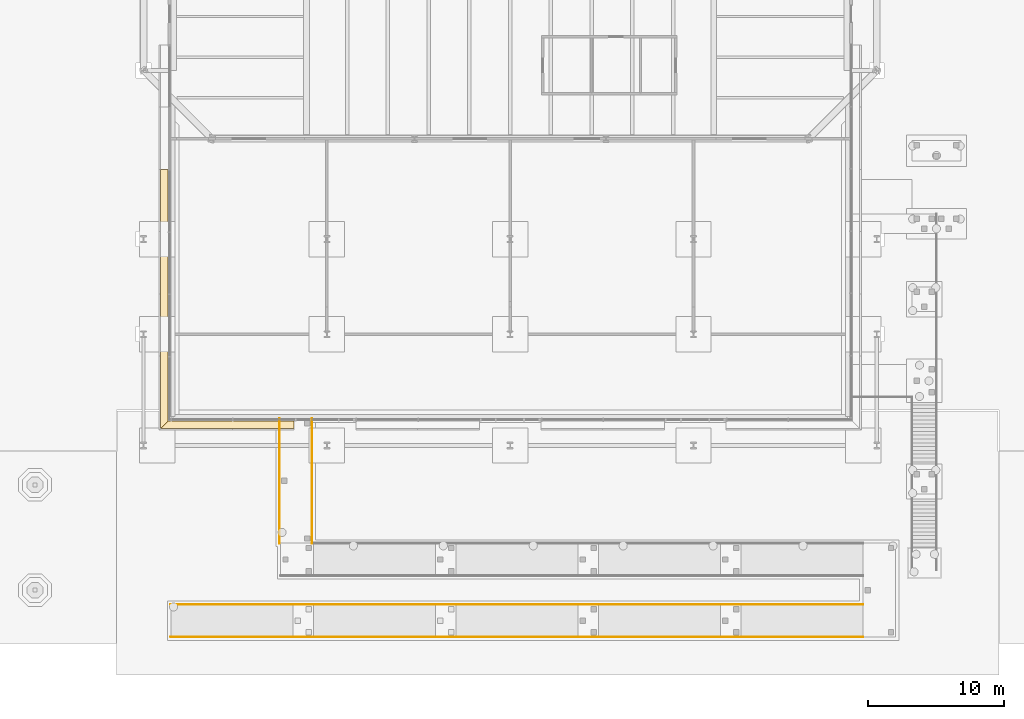
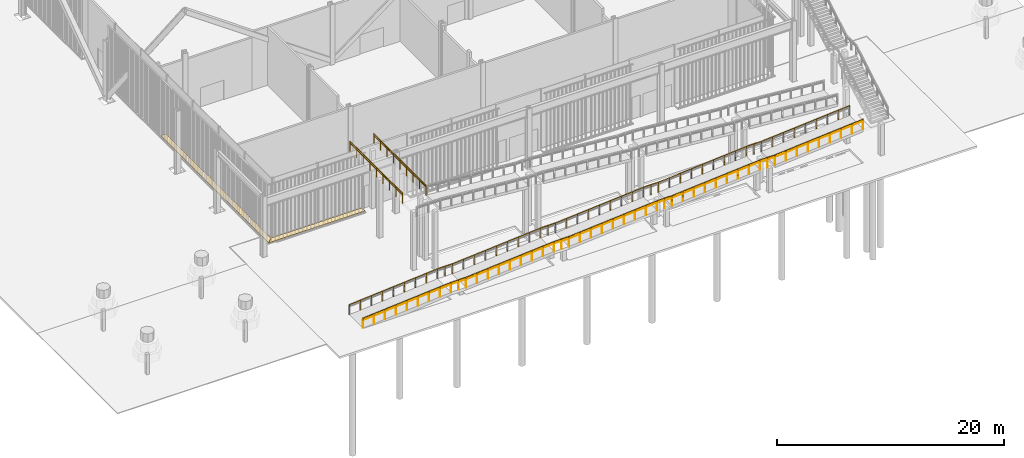
# One storey, part 21 of 28: 7 railings, 2 coverings.
"""IFC4 building model written with IfcOpenShell, lengths in metres."""

import ifcopenshell
import ifcopenshell.guid

model = None  # the IFC model being written
_history = None  # IfcOwnerHistory: only IFC2X3 demands one
_inside = {}  # id of a spatial element -> (the spatial element, [elements in it])
_under = {}  # id of a project, library or spatial element -> (it, [spatial elements below it])
_declared = {}  # id of a project -> (the project, [libraries it declares])
_typed = {}  # id of a type object -> (the type object, [elements of that type])
_made_of = {}  # id of a material, layer set ... -> (it, [elements and type objects made of it])


def new_model(schema):
    """Start an empty IFC model of exactly this schema.

    Asked for "IFC4X3", IfcOpenShell would pick the latest addendum, in which some entities
    have other attributes; the version numbers below select the first issue.
    IFC2X3 requires an IfcOwnerHistory on every rooted entity: one is made here for all.
    """
    global model, _history
    if schema == "IFC4X3":
        model = ifcopenshell.file(schema_version=(4, 3, 0, 0))
    else:
        model = ifcopenshell.file(schema=schema)
    _inside.clear()
    _under.clear()
    _declared.clear()
    _typed.clear()
    _made_of.clear()
    _history = None
    if model.schema == "IFC2X3":
        org = make("IfcOrganization", Name="unknown")
        user = make(
            "IfcPersonAndOrganization",
            ThePerson=make("IfcPerson", FamilyName="unknown"),
            TheOrganization=org,
        )
        app = make(
            "IfcApplication",
            ApplicationDeveloper=org,
            Version="unknown",
            ApplicationFullName="unknown",
            ApplicationIdentifier="unknown",
        )
        _history = make(
            "IfcOwnerHistory",
            OwningUser=user,
            OwningApplication=app,
            ChangeAction="ADDED",
            CreationDate=0,
        )
    return model


def make(cls, **values):
    """One entity of the class cls with the attributes given. An attribute that is None is left unset."""
    return model.create_entity(
        cls, **{name: value for name, value in values.items() if value is not None}
    )


def rooted(cls, **values):
    """An entity with a GlobalId (a new one), such as an element, a storey or a relation."""
    return make(cls, GlobalId=ifcopenshell.guid.new(), OwnerHistory=_history, **values)


def si_unit(unit_type, name, prefix=None):
    """IfcSIUnit, for example si_unit("LENGTHUNIT", "METRE", prefix="MILLI")."""
    return make("IfcSIUnit", UnitType=unit_type, Prefix=prefix, Name=name)


def assignment(units):
    """IfcUnitAssignment: the units of a project."""
    return None if units is None else make("IfcUnitAssignment", Units=units)


def point(xyz):
    """IfcCartesianPoint."""
    return None if xyz is None else make("IfcCartesianPoint", Coordinates=xyz)


def direction(xyz):
    """IfcDirection."""
    return None if xyz is None else make("IfcDirection", DirectionRatios=xyz)


def frame(location, z_axis=None, x_axis=None):
    """IfcAxis2Placement3D, a coordinate frame: its origin and axes. An axis left out is left unset."""
    return make(
        "IfcAxis2Placement3D",
        Location=point(location),
        Axis=direction(z_axis),
        RefDirection=direction(x_axis),
    )


def frame_2d(location, x_axis=None):
    """IfcAxis2Placement2D, a coordinate frame in the plane: its origin and x axis."""
    return make(
        "IfcAxis2Placement2D", Location=point(location), RefDirection=direction(x_axis)
    )


def origin():
    """The frame at (0, 0, 0) with its axes left unset."""
    return frame((0.0, 0.0, 0.0))


def origin_2d():
    """The frame at (0, 0) in the plane with its x axis left unset."""
    return frame_2d((0.0, 0.0))


def place(relative_to, where):
    """IfcLocalPlacement: puts the frame where relative to a parent placement (None: the world)."""
    return make(
        "IfcLocalPlacement", PlacementRelTo=relative_to, RelativePlacement=where
    )


def context(
    kind, dimensions, precision=None, world=None, true_north=None, identifier=None
):
    """IfcGeometricRepresentationContext, for example the 3D "Model" context."""
    return make(
        "IfcGeometricRepresentationContext",
        ContextIdentifier=identifier,
        ContextType=kind,
        CoordinateSpaceDimension=dimensions,
        Precision=precision,
        WorldCoordinateSystem=world,
        TrueNorth=true_north,
    )


def subcontext(parent, identifier, kind, view, scale=None):
    """IfcGeometricRepresentationSubContext, for example "Body" below "Model"."""
    return make(
        "IfcGeometricRepresentationSubContext",
        ContextIdentifier=identifier,
        ContextType=kind,
        ParentContext=parent,
        TargetScale=scale,
        TargetView=view,
    )


def project(units=None, contexts=None):
    """IfcProject with its units and contexts."""
    return rooted(
        "IfcProject",
        Name="project",
        RepresentationContexts=contexts,
        UnitsInContext=assignment(units),
    )


def spatial(cls, under=None, at=None, **own):
    """A site, building, storey or space (cls), placed at a placement, below another one or the project."""
    s = rooted(cls, ObjectPlacement=at, **own)
    if under is not None:
        _under.setdefault(under.id(), (under, []))[1].append(s)
    return s


def polyline(points):
    """IfcPolyline through the points."""
    return make("IfcPolyline", Points=[point(p) for p in points])


def profile(cls, at=None, kind="AREA", **sizes):
    """A parametric profile (cls). Its sizes go by their IFC names, for example OverallWidth=200.0."""
    return make(cls, ProfileType=kind, Position=at, **sizes)


def circle(**sizes):
    """IfcCircleProfileDef."""
    return profile("IfcCircleProfileDef", **sizes)


def outline(outer, holes=None, kind="AREA"):
    """IfcArbitraryClosedProfileDef: a profile drawn as a closed curve; with holes, ...WithVoids."""
    if holes is None:
        return make("IfcArbitraryClosedProfileDef", ProfileType=kind, OuterCurve=outer)
    return make(
        "IfcArbitraryProfileDefWithVoids",
        ProfileType=kind,
        OuterCurve=outer,
        InnerCurves=holes,
    )


def extrude(swept, where, along, depth):
    """IfcExtrudedAreaSolid: the profile swept, set in the frame where, extruded along a direction by depth."""
    return make(
        "IfcExtrudedAreaSolid",
        SweptArea=swept,
        Position=where,
        ExtrudedDirection=direction(along),
        Depth=depth,
    )


def shape(context_of_items, identifier, shape_type, items):
    """IfcShapeRepresentation: the items that make up one representation, for example the "Body"."""
    return make(
        "IfcShapeRepresentation",
        ContextOfItems=context_of_items,
        RepresentationIdentifier=identifier,
        RepresentationType=shape_type,
        Items=items,
    )


def material(Name=None, Category=None):
    """IfcMaterial."""
    return make("IfcMaterial", Name=Name, Category=Category)


def layer(
    of_material, thickness, ventilated=None, Name=None, Category=None, Priority=None
):
    """IfcMaterialLayer: one layer of a wall or slab, of a material (None: an air gap)."""
    return make(
        "IfcMaterialLayer",
        Material=of_material,
        LayerThickness=thickness,
        IsVentilated=ventilated,
        Name=Name,
        Category=Category,
        Priority=Priority,
    )


def layer_set(layers, Name=None):
    """IfcMaterialLayerSet."""
    return make("IfcMaterialLayerSet", MaterialLayers=layers, LayerSetName=Name)


def made_of(thing, what):
    """Note that an element or type object is made of a material, layer set ...; save() writes the relation."""
    if what is not None:
        _made_of.setdefault(what.id(), (what, []))[1].append(thing)
    return thing


def type_object(cls, material=None, **own):
    """A type object (cls), such as IfcWallType, which elements share."""
    return made_of(rooted(cls, **own), material)


def element(
    cls,
    number,
    at=None,
    inside=None,
    cuts=None,
    type_object=None,
    material=None,
    context=None,
    identifier="Body",
    shape_type=None,
    held_by="IfcProductDefinitionShape",
    body=None,
    shapes=None,
    **own,
):
    """One element of the class cls, such as IfcWall. Its Tag is "e" and its number.

    at: its placement. inside: the storey or other place that contains it. cuts: it is an
    opening in that element (IfcRelVoidsElement). A single representation is given by context,
    identifier, shape_type and body (its items); several are given by shapes. held_by: the class
    of the entity that holds the representations. save() writes the other relations.
    """
    e = rooted(cls, Tag="e%d" % number, ObjectPlacement=at, **own)
    if body is not None:
        shapes = [shape(context, identifier, shape_type, body)]
    if shapes is not None:
        e.Representation = make(held_by, Representations=shapes)
    if inside is not None:
        _inside.setdefault(inside.id(), (inside, []))[1].append(e)
    if cuts is not None:
        rooted(
            "IfcRelVoidsElement", RelatingBuildingElement=cuts, RelatedOpeningElement=e
        )
    if type_object is not None:
        _typed.setdefault(type_object.id(), (type_object, []))[1].append(e)
    return made_of(e, material)


def aggregate(whole, parts):
    """IfcRelAggregates: a whole, such as a stair, and the parts it consists of."""
    return rooted("IfcRelAggregates", RelatingObject=whole, RelatedObjects=parts)


def save(model, path):
    """Write the relations noted so far, then the file.

    IfcRelAggregates (storeys below a building ...), IfcRelContainedInSpatialStructure (elements
    in a storey), IfcRelDefinesByType, IfcRelAssociatesMaterial and IfcRelDeclares: one each for
    every whole, place, type object, material and project.
    """
    for whole, parts in _under.values():
        aggregate(whole, parts)
    for where, things in _inside.values():
        rooted(
            "IfcRelContainedInSpatialStructure",
            RelatedElements=things,
            RelatingStructure=where,
        )
    for kind, things in _typed.values():
        rooted("IfcRelDefinesByType", RelatedObjects=things, RelatingType=kind)
    for what, things in _made_of.values():
        rooted("IfcRelAssociatesMaterial", RelatedObjects=things, RelatingMaterial=what)
    for by, libraries in _declared.values():
        rooted("IfcRelDeclares", RelatingContext=by, RelatedDefinitions=libraries)
    model.write(path)


model = new_model("IFC4")

# Units and contexts
model_context = context("Model", 3, precision=1e-05, world=origin(), true_north=direction((0.0, 1.0)))
body_context = subcontext(model_context, "Body", "Model", "MODEL_VIEW")
ifc_project = project(units=[si_unit("LENGTHUNIT", "METRE"), si_unit("AREAUNIT", "SQUARE_METRE"), si_unit("VOLUMEUNIT", "CUBIC_METRE"), si_unit("PLANEANGLEUNIT", "RADIAN"), si_unit("MASSUNIT", "GRAM", prefix="KILO")], contexts=[model_context])

# Site, building, storey
site_placement = place(None, origin())
site = spatial("IfcSite", under=ifc_project, at=site_placement, CompositionType="ELEMENT")
building_placement = place(site_placement, origin())
building = spatial("IfcBuilding", under=site, at=building_placement, Name="Millrace Tower", CompositionType="ELEMENT")
storey_placement = place(building_placement, origin())
storey = spatial("IfcBuildingStorey", under=building, at=storey_placement, Name="L01", CompositionType="ELEMENT", Elevation=0.0)

# Coverings
ifc_material_1 = material(Name="Steel ASTM A36", Category="steel")
ifc_layer = layer(ifc_material_1, 0.050048828125)
ifc_layer_set = layer_set([ifc_layer], Name="Steel ASTM A36")
covering_type = type_object("IfcCoveringType", Name="CAVITY CATWALK steel grating", PredefinedType="FLOORING", material=ifc_layer_set)
placement_1 = place(storey_placement, frame((0.0, 0.0, 0.10009765625)))
element("IfcCovering", 1, at=placement_1, inside=storey, type_object=covering_type, Name="Cavity catwalk grating AW1-F01 L01 1", PredefinedType="FLOORING", context=body_context, shape_type="SweptSolid", body=[
    extrude(outline(polyline([(-25.75, -48.35009765625), (-15.9091796875, -48.35009765625), (-15.9091796875, -47.800048828125), (-25.199951171875, -47.800048828125), (-25.75, -48.35009765625)])), origin(), (0.0, 0.0, 1.0), 0.0498046875),
])
element("IfcCovering", 2, at=placement_1, inside=storey, type_object=covering_type, Name="Cavity catwalk grating AW1-F06 L01 6", PredefinedType="FLOORING", context=body_context, shape_type="SweptSolid", body=[
    extrude(outline(polyline([(-25.75, -29.2666015625), (-25.75, -48.35009765625), (-25.199951171875, -47.800048828125), (-25.199951171875, -29.2666015625), (-25.75, -29.2666015625)])), origin(), (0.0, 0.0, 1.0), 0.0498046875),
])

# Railings
ifc_material_2 = material(Name="Stainless steel ASTM A240 type 316", Category="steel")
railing_type_1 = type_object("IfcRailingType", Name="Ramp guard 1100", PredefinedType="GUARDRAIL", material=ifc_material_2)
placement_2 = place(storey_placement, frame((-25.0, -63.699951171875, 0.0)))
element("IfcRailing", 3, at=placement_2, inside=storey, type_object=railing_type_1, Name="Ramp guard row A S", PredefinedType="GUARDRAIL", context=body_context, shape_type="SweptSolid", body=[
    extrude(circle(Radius=0.02392578125, at=origin_2d()), frame((0.0, 0.0, 1.076171875), z_axis=(0.996796163047, 0.0, 0.079983806703), x_axis=(0.0, 1.0, 0.0)), (0.0, 0.0, 1.0), 9.02880859375),
    extrude(circle(Radius=0.02392578125, at=origin_2d()), frame((9.0, 0.0, 1.79833984375), z_axis=(1.0, 0.0, 0.0), x_axis=(0.0, 1.0, 0.0)), (0.0, 0.0, 1.0), 1.5),
    extrude(circle(Radius=0.02392578125, at=origin_2d()), frame((10.5, 0.0, 1.79833984375), z_axis=(0.996796163047, 0.0, 0.079983806703), x_axis=(0.0, 1.0, 0.0)), (0.0, 0.0, 1.0), 9.02880859375),
    extrude(circle(Radius=0.02392578125, at=origin_2d()), frame((19.5, 0.0, 2.5205078125), z_axis=(1.0, 0.0, 0.0), x_axis=(0.0, 1.0, 0.0)), (0.0, 0.0, 1.0), 1.5),
    extrude(circle(Radius=0.02392578125, at=origin_2d()), frame((21.0, 0.0, 2.5205078125), z_axis=(0.99679400687, 0.0, 0.080010673457), x_axis=(0.0, 1.0, 0.0)), (0.0, 0.0, 1.0), 9.029052734375),
    extrude(circle(Radius=0.02392578125, at=origin_2d()), frame((30.0, 0.0, 3.24267578125), z_axis=(1.0, 0.0, 0.0), x_axis=(0.0, 1.0, 0.0)), (0.0, 0.0, 1.0), 1.5),
    extrude(circle(Radius=0.02392578125, at=origin_2d()), frame((31.5, 0.0, 3.24267578125), z_axis=(0.996796163047, 0.0, 0.079983806703), x_axis=(0.0, 1.0, 0.0)), (0.0, 0.0, 1.0), 9.02880859375),
    extrude(circle(Radius=0.02392578125, at=origin_2d()), frame((40.5, 0.0, 3.96484375), z_axis=(1.0, 0.0, 0.0), x_axis=(0.0, 1.0, 0.0)), (0.0, 0.0, 1.0), 1.5),
    extrude(circle(Radius=0.02392578125, at=origin_2d()), frame((42.0, 0.0, 3.96484375), z_axis=(0.996796163047, 0.0, 0.079983806703), x_axis=(0.0, 1.0, 0.0)), (0.0, 0.0, 1.0), 9.02880859375),
    extrude(circle(Radius=0.02099609375, at=origin_2d()), origin(), (0.0, 0.0, 1.0), 1.052001953125),
    extrude(circle(Radius=0.02099609375, at=origin_2d()), frame((1.125, 0.0, 0.09033203125)), (0.0, 0.0, 1.0), 1.052001953125),
    extrude(circle(Radius=0.02099609375, at=origin_2d()), frame((2.25, 0.0, 0.1806640625)), (0.0, 0.0, 1.0), 1.052001953125),
    extrude(circle(Radius=0.02099609375, at=origin_2d()), frame((3.375, 0.0, 0.270751953125)), (0.0, 0.0, 1.0), 1.052001953125),
    extrude(circle(Radius=0.02099609375, at=origin_2d()), frame((4.5, 0.0, 0.361083984375)), (0.0, 0.0, 1.0), 1.052001953125),
    extrude(circle(Radius=0.02099609375, at=origin_2d()), frame((5.625, 0.0, 0.451416015625)), (0.0, 0.0, 1.0), 1.052001953125),
    extrude(circle(Radius=0.02099609375, at=origin_2d()), frame((6.75, 0.0, 0.54150390625)), (0.0, 0.0, 1.0), 1.052001953125),
    extrude(circle(Radius=0.02099609375, at=origin_2d()), frame((7.875, 0.0, 0.6318359375)), (0.0, 0.0, 1.0), 1.052001953125),
    extrude(circle(Radius=0.02099609375, at=origin_2d()), frame((9.0, 0.0, 0.72216796875)), (0.0, 0.0, 1.0), 1.052001953125),
    extrude(circle(Radius=0.02099609375, at=origin_2d()), frame((9.75, 0.0, 0.72216796875)), (0.0, 0.0, 1.0), 1.052001953125),
    extrude(circle(Radius=0.02099609375, at=origin_2d()), frame((10.5, 0.0, 0.72216796875)), (0.0, 0.0, 1.0), 1.052001953125),
    extrude(circle(Radius=0.02099609375, at=origin_2d()), frame((11.625, 0.0, 0.8125)), (0.0, 0.0, 1.0), 1.052001953125),
    extrude(circle(Radius=0.02099609375, at=origin_2d()), frame((12.75, 0.0, 0.90283203125)), (0.0, 0.0, 1.0), 1.052001953125),
    extrude(circle(Radius=0.02099609375, at=origin_2d()), frame((13.875, 0.0, 0.992919921875)), (0.0, 0.0, 1.0), 1.052001953125),
    extrude(circle(Radius=0.02099609375, at=origin_2d()), frame((15.0, 0.0, 1.083251953125)), (0.0, 0.0, 1.0), 1.052001953125),
    extrude(circle(Radius=0.02099609375, at=origin_2d()), frame((16.125, 0.0, 1.173583984375)), (0.0, 0.0, 1.0), 1.052001953125),
    extrude(circle(Radius=0.02099609375, at=origin_2d()), frame((17.25, 0.0, 1.263671875)), (0.0, 0.0, 1.0), 1.052001953125),
    extrude(circle(Radius=0.02099609375, at=origin_2d()), frame((18.375, 0.0, 1.35400390625)), (0.0, 0.0, 1.0), 1.052001953125),
    extrude(circle(Radius=0.02099609375, at=origin_2d()), frame((19.5, 0.0, 1.4443359375)), (0.0, 0.0, 1.0), 1.052001953125),
    extrude(circle(Radius=0.02099609375, at=origin_2d()), frame((20.25, 0.0, 1.4443359375)), (0.0, 0.0, 1.0), 1.052001953125),
    extrude(circle(Radius=0.02099609375, at=origin_2d()), frame((21.0, 0.0, 1.4443359375)), (0.0, 0.0, 1.0), 1.052001953125),
    extrude(circle(Radius=0.02099609375, at=origin_2d()), frame((22.125, 0.0, 1.53466796875)), (0.0, 0.0, 1.0), 1.052001953125),
    extrude(circle(Radius=0.02099609375, at=origin_2d()), frame((23.25, 0.0, 1.625)), (0.0, 0.0, 1.0), 1.052001953125),
    extrude(circle(Radius=0.02099609375, at=origin_2d()), frame((24.375, 0.0, 1.71533203125)), (0.0, 0.0, 1.0), 1.052001953125),
    extrude(circle(Radius=0.02099609375, at=origin_2d()), frame((25.5, 0.0, 1.8056640625)), (0.0, 0.0, 1.0), 1.052001953125),
    extrude(circle(Radius=0.02099609375, at=origin_2d()), frame((26.625, 0.0, 1.895751953125)), (0.0, 0.0, 1.0), 1.052001953125),
    extrude(circle(Radius=0.02099609375, at=origin_2d()), frame((27.75, 0.0, 1.986083984375)), (0.0, 0.0, 1.0), 1.052001953125),
    extrude(circle(Radius=0.02099609375, at=origin_2d()), frame((28.875, 0.0, 2.076416015625)), (0.0, 0.0, 1.0), 1.052001953125),
    extrude(circle(Radius=0.02099609375, at=origin_2d()), frame((30.0, 0.0, 2.166748046875)), (0.0, 0.0, 1.0), 1.052001953125),
    extrude(circle(Radius=0.02099609375, at=origin_2d()), frame((30.75, 0.0, 2.166748046875)), (0.0, 0.0, 1.0), 1.052001953125),
    extrude(circle(Radius=0.02099609375, at=origin_2d()), frame((31.5, 0.0, 2.166748046875)), (0.0, 0.0, 1.0), 1.052001953125),
    extrude(circle(Radius=0.02099609375, at=origin_2d()), frame((32.625, 0.0, 2.257080078125)), (0.0, 0.0, 1.0), 1.052001953125),
    extrude(circle(Radius=0.02099609375, at=origin_2d()), frame((33.75, 0.0, 2.34716796875)), (0.0, 0.0, 1.0), 1.052001953125),
    extrude(circle(Radius=0.02099609375, at=origin_2d()), frame((34.875, 0.0, 2.4375)), (0.0, 0.0, 1.0), 1.052001953125),
    extrude(circle(Radius=0.02099609375, at=origin_2d()), frame((36.0, 0.0, 2.52783203125)), (0.0, 0.0, 1.0), 1.052001953125),
    extrude(circle(Radius=0.02099609375, at=origin_2d()), frame((37.125, 0.0, 2.6181640625)), (0.0, 0.0, 1.0), 1.052001953125),
    extrude(circle(Radius=0.02099609375, at=origin_2d()), frame((38.25, 0.0, 2.70849609375)), (0.0, 0.0, 1.0), 1.052001953125),
    extrude(circle(Radius=0.02099609375, at=origin_2d()), frame((39.375, 0.0, 2.798583984375)), (0.0, 0.0, 1.0), 1.052001953125),
    extrude(circle(Radius=0.02099609375, at=origin_2d()), frame((40.5, 0.0, 2.888916015625)), (0.0, 0.0, 1.0), 1.052001953125),
    extrude(circle(Radius=0.02099609375, at=origin_2d()), frame((41.25, 0.0, 2.888916015625)), (0.0, 0.0, 1.0), 1.052001953125),
    extrude(circle(Radius=0.02099609375, at=origin_2d()), frame((42.0, 0.0, 2.888916015625)), (0.0, 0.0, 1.0), 1.052001953125),
    extrude(circle(Radius=0.02099609375, at=origin_2d()), frame((43.125, 0.0, 2.979248046875)), (0.0, 0.0, 1.0), 1.052001953125),
    extrude(circle(Radius=0.02099609375, at=origin_2d()), frame((44.25, 0.0, 3.0693359375)), (0.0, 0.0, 1.0), 1.052001953125),
    extrude(circle(Radius=0.02099609375, at=origin_2d()), frame((45.375, 0.0, 3.15966796875)), (0.0, 0.0, 1.0), 1.052001953125),
    extrude(circle(Radius=0.02099609375, at=origin_2d()), frame((46.5, 0.0, 3.25)), (0.0, 0.0, 1.0), 1.052001953125),
    extrude(circle(Radius=0.02099609375, at=origin_2d()), frame((47.625, 0.0, 3.34033203125)), (0.0, 0.0, 1.0), 1.052001953125),
    extrude(circle(Radius=0.02099609375, at=origin_2d()), frame((48.75, 0.0, 3.4306640625)), (0.0, 0.0, 1.0), 1.052001953125),
    extrude(circle(Radius=0.02099609375, at=origin_2d()), frame((49.875, 0.0, 3.520751953125)), (0.0, 0.0, 1.0), 1.052001953125),
    extrude(circle(Radius=0.02099609375, at=origin_2d()), frame((51.0, 0.0, 3.611083984375)), (0.0, 0.0, 1.0), 1.052001953125),
])
railing_2_placement = place(storey_placement, frame((-25.0, -61.300048828125, 0.0)))
element("IfcRailing", 4, at=railing_2_placement, inside=storey, type_object=railing_type_1, Name="Ramp guard row A N", PredefinedType="GUARDRAIL", context=body_context, shape_type="SweptSolid", body=[
    extrude(circle(Radius=0.02392578125, at=origin_2d()), frame((0.0, 0.0, 1.076171875), z_axis=(0.996796163047, 0.0, 0.079983806703), x_axis=(0.0, 1.0, 0.0)), (0.0, 0.0, 1.0), 9.02880859375),
    extrude(circle(Radius=0.02392578125, at=origin_2d()), frame((9.0, 0.0, 1.79833984375), z_axis=(1.0, 0.0, 0.0), x_axis=(0.0, 1.0, 0.0)), (0.0, 0.0, 1.0), 1.5),
    extrude(circle(Radius=0.02392578125, at=origin_2d()), frame((10.5, 0.0, 1.79833984375), z_axis=(0.996796163047, 0.0, 0.079983806703), x_axis=(0.0, 1.0, 0.0)), (0.0, 0.0, 1.0), 9.02880859375),
    extrude(circle(Radius=0.02392578125, at=origin_2d()), frame((19.5, 0.0, 2.5205078125), z_axis=(1.0, 0.0, 0.0), x_axis=(0.0, 1.0, 0.0)), (0.0, 0.0, 1.0), 1.5),
    extrude(circle(Radius=0.02392578125, at=origin_2d()), frame((21.0, 0.0, 2.5205078125), z_axis=(0.99679400687, 0.0, 0.080010673457), x_axis=(0.0, 1.0, 0.0)), (0.0, 0.0, 1.0), 9.029052734375),
    extrude(circle(Radius=0.02392578125, at=origin_2d()), frame((30.0, 0.0, 3.24267578125), z_axis=(1.0, 0.0, 0.0), x_axis=(0.0, 1.0, 0.0)), (0.0, 0.0, 1.0), 1.5),
    extrude(circle(Radius=0.02392578125, at=origin_2d()), frame((31.5, 0.0, 3.24267578125), z_axis=(0.996796163047, 0.0, 0.079983806703), x_axis=(0.0, 1.0, 0.0)), (0.0, 0.0, 1.0), 9.02880859375),
    extrude(circle(Radius=0.02392578125, at=origin_2d()), frame((40.5, 0.0, 3.96484375), z_axis=(1.0, 0.0, 0.0), x_axis=(0.0, 1.0, 0.0)), (0.0, 0.0, 1.0), 1.5),
    extrude(circle(Radius=0.02392578125, at=origin_2d()), frame((42.0, 0.0, 3.96484375), z_axis=(0.996796163047, 0.0, 0.079983806703), x_axis=(0.0, 1.0, 0.0)), (0.0, 0.0, 1.0), 9.02880859375),
    extrude(circle(Radius=0.02099609375, at=origin_2d()), origin(), (0.0, 0.0, 1.0), 1.052001953125),
    extrude(circle(Radius=0.02099609375, at=origin_2d()), frame((1.125, 0.0, 0.09033203125)), (0.0, 0.0, 1.0), 1.052001953125),
    extrude(circle(Radius=0.02099609375, at=origin_2d()), frame((2.25, 0.0, 0.1806640625)), (0.0, 0.0, 1.0), 1.052001953125),
    extrude(circle(Radius=0.02099609375, at=origin_2d()), frame((3.375, 0.0, 0.270751953125)), (0.0, 0.0, 1.0), 1.052001953125),
    extrude(circle(Radius=0.02099609375, at=origin_2d()), frame((4.5, 0.0, 0.361083984375)), (0.0, 0.0, 1.0), 1.052001953125),
    extrude(circle(Radius=0.02099609375, at=origin_2d()), frame((5.625, 0.0, 0.451416015625)), (0.0, 0.0, 1.0), 1.052001953125),
    extrude(circle(Radius=0.02099609375, at=origin_2d()), frame((6.75, 0.0, 0.54150390625)), (0.0, 0.0, 1.0), 1.052001953125),
    extrude(circle(Radius=0.02099609375, at=origin_2d()), frame((7.875, 0.0, 0.6318359375)), (0.0, 0.0, 1.0), 1.052001953125),
    extrude(circle(Radius=0.02099609375, at=origin_2d()), frame((9.0, 0.0, 0.72216796875)), (0.0, 0.0, 1.0), 1.052001953125),
    extrude(circle(Radius=0.02099609375, at=origin_2d()), frame((9.75, 0.0, 0.72216796875)), (0.0, 0.0, 1.0), 1.052001953125),
    extrude(circle(Radius=0.02099609375, at=origin_2d()), frame((10.5, 0.0, 0.72216796875)), (0.0, 0.0, 1.0), 1.052001953125),
    extrude(circle(Radius=0.02099609375, at=origin_2d()), frame((11.625, 0.0, 0.8125)), (0.0, 0.0, 1.0), 1.052001953125),
    extrude(circle(Radius=0.02099609375, at=origin_2d()), frame((12.75, 0.0, 0.90283203125)), (0.0, 0.0, 1.0), 1.052001953125),
    extrude(circle(Radius=0.02099609375, at=origin_2d()), frame((13.875, 0.0, 0.992919921875)), (0.0, 0.0, 1.0), 1.052001953125),
    extrude(circle(Radius=0.02099609375, at=origin_2d()), frame((15.0, 0.0, 1.083251953125)), (0.0, 0.0, 1.0), 1.052001953125),
    extrude(circle(Radius=0.02099609375, at=origin_2d()), frame((16.125, 0.0, 1.173583984375)), (0.0, 0.0, 1.0), 1.052001953125),
    extrude(circle(Radius=0.02099609375, at=origin_2d()), frame((17.25, 0.0, 1.263671875)), (0.0, 0.0, 1.0), 1.052001953125),
    extrude(circle(Radius=0.02099609375, at=origin_2d()), frame((18.375, 0.0, 1.35400390625)), (0.0, 0.0, 1.0), 1.052001953125),
    extrude(circle(Radius=0.02099609375, at=origin_2d()), frame((19.5, 0.0, 1.4443359375)), (0.0, 0.0, 1.0), 1.052001953125),
    extrude(circle(Radius=0.02099609375, at=origin_2d()), frame((20.25, 0.0, 1.4443359375)), (0.0, 0.0, 1.0), 1.052001953125),
    extrude(circle(Radius=0.02099609375, at=origin_2d()), frame((21.0, 0.0, 1.4443359375)), (0.0, 0.0, 1.0), 1.052001953125),
    extrude(circle(Radius=0.02099609375, at=origin_2d()), frame((22.125, 0.0, 1.53466796875)), (0.0, 0.0, 1.0), 1.052001953125),
    extrude(circle(Radius=0.02099609375, at=origin_2d()), frame((23.25, 0.0, 1.625)), (0.0, 0.0, 1.0), 1.052001953125),
    extrude(circle(Radius=0.02099609375, at=origin_2d()), frame((24.375, 0.0, 1.71533203125)), (0.0, 0.0, 1.0), 1.052001953125),
    extrude(circle(Radius=0.02099609375, at=origin_2d()), frame((25.5, 0.0, 1.8056640625)), (0.0, 0.0, 1.0), 1.052001953125),
    extrude(circle(Radius=0.02099609375, at=origin_2d()), frame((26.625, 0.0, 1.895751953125)), (0.0, 0.0, 1.0), 1.052001953125),
    extrude(circle(Radius=0.02099609375, at=origin_2d()), frame((27.75, 0.0, 1.986083984375)), (0.0, 0.0, 1.0), 1.052001953125),
    extrude(circle(Radius=0.02099609375, at=origin_2d()), frame((28.875, 0.0, 2.076416015625)), (0.0, 0.0, 1.0), 1.052001953125),
    extrude(circle(Radius=0.02099609375, at=origin_2d()), frame((30.0, 0.0, 2.166748046875)), (0.0, 0.0, 1.0), 1.052001953125),
    extrude(circle(Radius=0.02099609375, at=origin_2d()), frame((30.75, 0.0, 2.166748046875)), (0.0, 0.0, 1.0), 1.052001953125),
    extrude(circle(Radius=0.02099609375, at=origin_2d()), frame((31.5, 0.0, 2.166748046875)), (0.0, 0.0, 1.0), 1.052001953125),
    extrude(circle(Radius=0.02099609375, at=origin_2d()), frame((32.625, 0.0, 2.257080078125)), (0.0, 0.0, 1.0), 1.052001953125),
    extrude(circle(Radius=0.02099609375, at=origin_2d()), frame((33.75, 0.0, 2.34716796875)), (0.0, 0.0, 1.0), 1.052001953125),
    extrude(circle(Radius=0.02099609375, at=origin_2d()), frame((34.875, 0.0, 2.4375)), (0.0, 0.0, 1.0), 1.052001953125),
    extrude(circle(Radius=0.02099609375, at=origin_2d()), frame((36.0, 0.0, 2.52783203125)), (0.0, 0.0, 1.0), 1.052001953125),
    extrude(circle(Radius=0.02099609375, at=origin_2d()), frame((37.125, 0.0, 2.6181640625)), (0.0, 0.0, 1.0), 1.052001953125),
    extrude(circle(Radius=0.02099609375, at=origin_2d()), frame((38.25, 0.0, 2.70849609375)), (0.0, 0.0, 1.0), 1.052001953125),
    extrude(circle(Radius=0.02099609375, at=origin_2d()), frame((39.375, 0.0, 2.798583984375)), (0.0, 0.0, 1.0), 1.052001953125),
    extrude(circle(Radius=0.02099609375, at=origin_2d()), frame((40.5, 0.0, 2.888916015625)), (0.0, 0.0, 1.0), 1.052001953125),
    extrude(circle(Radius=0.02099609375, at=origin_2d()), frame((41.25, 0.0, 2.888916015625)), (0.0, 0.0, 1.0), 1.052001953125),
    extrude(circle(Radius=0.02099609375, at=origin_2d()), frame((42.0, 0.0, 2.888916015625)), (0.0, 0.0, 1.0), 1.052001953125),
    extrude(circle(Radius=0.02099609375, at=origin_2d()), frame((43.125, 0.0, 2.979248046875)), (0.0, 0.0, 1.0), 1.052001953125),
    extrude(circle(Radius=0.02099609375, at=origin_2d()), frame((44.25, 0.0, 3.0693359375)), (0.0, 0.0, 1.0), 1.052001953125),
    extrude(circle(Radius=0.02099609375, at=origin_2d()), frame((45.375, 0.0, 3.15966796875)), (0.0, 0.0, 1.0), 1.052001953125),
    extrude(circle(Radius=0.02099609375, at=origin_2d()), frame((46.5, 0.0, 3.25)), (0.0, 0.0, 1.0), 1.052001953125),
    extrude(circle(Radius=0.02099609375, at=origin_2d()), frame((47.625, 0.0, 3.34033203125)), (0.0, 0.0, 1.0), 1.052001953125),
    extrude(circle(Radius=0.02099609375, at=origin_2d()), frame((48.75, 0.0, 3.4306640625)), (0.0, 0.0, 1.0), 1.052001953125),
    extrude(circle(Radius=0.02099609375, at=origin_2d()), frame((49.875, 0.0, 3.520751953125)), (0.0, 0.0, 1.0), 1.052001953125),
    extrude(circle(Radius=0.02099609375, at=origin_2d()), frame((51.0, 0.0, 3.611083984375)), (0.0, 0.0, 1.0), 1.052001953125),
])
placement_3 = place(storey_placement, frame((-17.0, -56.800048828125, 6.5)))
element("IfcRailing", 5, at=placement_3, inside=storey, type_object=railing_type_1, Name="Ramp guard causeway W", PredefinedType="GUARDRAIL", context=body_context, shape_type="SweptSolid", body=[
    extrude(circle(Radius=0.02392578125, at=origin_2d()), frame((0.0, 0.0, 1.076171875), z_axis=(0.0, 1.0, 0.0), x_axis=(-1.0, 0.0, 0.0)), (0.0, 0.0, 1.0), 9.199951171875),
    extrude(circle(Radius=0.02099609375, at=origin_2d()), origin(), (0.0, 0.0, 1.0), 1.052001953125),
    extrude(circle(Radius=0.02099609375, at=origin_2d()), frame((0.0, 1.14990234375, 0.0)), (0.0, 0.0, 1.0), 1.052001953125),
    extrude(circle(Radius=0.02099609375, at=origin_2d()), frame((0.0, 2.300048828125, 0.0)), (0.0, 0.0, 1.0), 1.052001953125),
    extrude(circle(Radius=0.02099609375, at=origin_2d()), frame((0.0, 3.449951171875, 0.0)), (0.0, 0.0, 1.0), 1.052001953125),
    extrude(circle(Radius=0.02099609375, at=origin_2d()), frame((0.0, 4.60009765625, 0.0)), (0.0, 0.0, 1.0), 1.052001953125),
    extrude(circle(Radius=0.02099609375, at=origin_2d()), frame((0.0, 5.75, 0.0)), (0.0, 0.0, 1.0), 1.052001953125),
    extrude(circle(Radius=0.02099609375, at=origin_2d()), frame((0.0, 6.89990234375, 0.0)), (0.0, 0.0, 1.0), 1.052001953125),
    extrude(circle(Radius=0.02099609375, at=origin_2d()), frame((0.0, 8.050048828125, 0.0)), (0.0, 0.0, 1.0), 1.052001953125),
    extrude(circle(Radius=0.02099609375, at=origin_2d()), frame((0.0, 9.199951171875, 0.0)), (0.0, 0.0, 1.0), 1.052001953125),
])
placement_4 = place(storey_placement, frame((-14.60009765625, -56.800048828125, 6.5)))
element("IfcRailing", 6, at=placement_4, inside=storey, type_object=railing_type_1, Name="Ramp guard causeway E", PredefinedType="GUARDRAIL", context=body_context, shape_type="SweptSolid", body=[
    extrude(circle(Radius=0.02392578125, at=origin_2d()), frame((0.0, 0.0, 1.076171875), z_axis=(0.0, 1.0, 0.0), x_axis=(-1.0, 0.0, 0.0)), (0.0, 0.0, 1.0), 9.199951171875),
    extrude(circle(Radius=0.02099609375, at=origin_2d()), origin(), (0.0, 0.0, 1.0), 1.052001953125),
    extrude(circle(Radius=0.02099609375, at=origin_2d()), frame((0.0, 1.14990234375, 0.0)), (0.0, 0.0, 1.0), 1.052001953125),
    extrude(circle(Radius=0.02099609375, at=origin_2d()), frame((0.0, 2.300048828125, 0.0)), (0.0, 0.0, 1.0), 1.052001953125),
    extrude(circle(Radius=0.02099609375, at=origin_2d()), frame((0.0, 3.449951171875, 0.0)), (0.0, 0.0, 1.0), 1.052001953125),
    extrude(circle(Radius=0.02099609375, at=origin_2d()), frame((0.0, 4.60009765625, 0.0)), (0.0, 0.0, 1.0), 1.052001953125),
    extrude(circle(Radius=0.02099609375, at=origin_2d()), frame((0.0, 5.75, 0.0)), (0.0, 0.0, 1.0), 1.052001953125),
    extrude(circle(Radius=0.02099609375, at=origin_2d()), frame((0.0, 6.89990234375, 0.0)), (0.0, 0.0, 1.0), 1.052001953125),
    extrude(circle(Radius=0.02099609375, at=origin_2d()), frame((0.0, 8.050048828125, 0.0)), (0.0, 0.0, 1.0), 1.052001953125),
    extrude(circle(Radius=0.02099609375, at=origin_2d()), frame((0.0, 9.199951171875, 0.0)), (0.0, 0.0, 1.0), 1.052001953125),
])
ifc_material_3 = material(Name="Stainless steel ASTM A240 type 316", Category="steel")
railing_type_2 = type_object("IfcRailingType", Name="Ramp handrail 900", PredefinedType="HANDRAIL", material=ifc_material_3)
element("IfcRailing", 7, at=placement_2, inside=storey, type_object=railing_type_2, Name="Ramp handrail row A S", PredefinedType="HANDRAIL", context=body_context, shape_type="SweptSolid", body=[
    extrude(circle(Radius=0.02392578125, at=origin_2d()), frame((0.0, 0.0, 0.8759765625), z_axis=(0.996796163047, 0.0, 0.079983806703), x_axis=(0.0, 1.0, 0.0)), (0.0, 0.0, 1.0), 9.02880859375),
    extrude(circle(Radius=0.02392578125, at=origin_2d()), frame((9.0, 0.0, 1.59814453125), z_axis=(1.0, 0.0, 0.0), x_axis=(0.0, 1.0, 0.0)), (0.0, 0.0, 1.0), 1.5),
    extrude(circle(Radius=0.02392578125, at=origin_2d()), frame((10.5, 0.0, 1.59814453125), z_axis=(0.996796163047, 0.0, 0.079983806703), x_axis=(0.0, 1.0, 0.0)), (0.0, 0.0, 1.0), 9.02880859375),
    extrude(circle(Radius=0.02392578125, at=origin_2d()), frame((19.5, 0.0, 2.3203125), z_axis=(1.0, 0.0, 0.0), x_axis=(0.0, 1.0, 0.0)), (0.0, 0.0, 1.0), 1.5),
    extrude(circle(Radius=0.02392578125, at=origin_2d()), frame((21.0, 0.0, 2.3203125), z_axis=(0.99679400687, 0.0, 0.080010673457), x_axis=(0.0, 1.0, 0.0)), (0.0, 0.0, 1.0), 9.029052734375),
    extrude(circle(Radius=0.02392578125, at=origin_2d()), frame((30.0, 0.0, 3.04248046875), z_axis=(1.0, 0.0, 0.0), x_axis=(0.0, 1.0, 0.0)), (0.0, 0.0, 1.0), 1.5),
    extrude(circle(Radius=0.02392578125, at=origin_2d()), frame((31.5, 0.0, 3.04248046875), z_axis=(0.996796163047, 0.0, 0.079983806703), x_axis=(0.0, 1.0, 0.0)), (0.0, 0.0, 1.0), 9.02880859375),
    extrude(circle(Radius=0.02392578125, at=origin_2d()), frame((40.5, 0.0, 3.7646484375), z_axis=(1.0, 0.0, 0.0), x_axis=(0.0, 1.0, 0.0)), (0.0, 0.0, 1.0), 1.5),
    extrude(circle(Radius=0.02392578125, at=origin_2d()), frame((42.0, 0.0, 3.7646484375), z_axis=(0.996796163047, 0.0, 0.079983806703), x_axis=(0.0, 1.0, 0.0)), (0.0, 0.0, 1.0), 9.02880859375),
    extrude(circle(Radius=0.02099609375, at=origin_2d()), origin(), (0.0, 0.0, 1.0), 0.851806640625),
    extrude(circle(Radius=0.02099609375, at=origin_2d()), frame((1.125, 0.0, 0.09033203125)), (0.0, 0.0, 1.0), 0.851806640625),
    extrude(circle(Radius=0.02099609375, at=origin_2d()), frame((2.25, 0.0, 0.1806640625)), (0.0, 0.0, 1.0), 0.851806640625),
    extrude(circle(Radius=0.02099609375, at=origin_2d()), frame((3.375, 0.0, 0.270751953125)), (0.0, 0.0, 1.0), 0.851806640625),
    extrude(circle(Radius=0.02099609375, at=origin_2d()), frame((4.5, 0.0, 0.361083984375)), (0.0, 0.0, 1.0), 0.851806640625),
    extrude(circle(Radius=0.02099609375, at=origin_2d()), frame((5.625, 0.0, 0.451416015625)), (0.0, 0.0, 1.0), 0.851806640625),
    extrude(circle(Radius=0.02099609375, at=origin_2d()), frame((6.75, 0.0, 0.54150390625)), (0.0, 0.0, 1.0), 0.851806640625),
    extrude(circle(Radius=0.02099609375, at=origin_2d()), frame((7.875, 0.0, 0.6318359375)), (0.0, 0.0, 1.0), 0.851806640625),
    extrude(circle(Radius=0.02099609375, at=origin_2d()), frame((9.0, 0.0, 0.72216796875)), (0.0, 0.0, 1.0), 0.851806640625),
    extrude(circle(Radius=0.02099609375, at=origin_2d()), frame((9.75, 0.0, 0.72216796875)), (0.0, 0.0, 1.0), 0.851806640625),
    extrude(circle(Radius=0.02099609375, at=origin_2d()), frame((10.5, 0.0, 0.72216796875)), (0.0, 0.0, 1.0), 0.851806640625),
    extrude(circle(Radius=0.02099609375, at=origin_2d()), frame((11.625, 0.0, 0.8125)), (0.0, 0.0, 1.0), 0.851806640625),
    extrude(circle(Radius=0.02099609375, at=origin_2d()), frame((12.75, 0.0, 0.90283203125)), (0.0, 0.0, 1.0), 0.851806640625),
    extrude(circle(Radius=0.02099609375, at=origin_2d()), frame((13.875, 0.0, 0.992919921875)), (0.0, 0.0, 1.0), 0.851806640625),
    extrude(circle(Radius=0.02099609375, at=origin_2d()), frame((15.0, 0.0, 1.083251953125)), (0.0, 0.0, 1.0), 0.851806640625),
    extrude(circle(Radius=0.02099609375, at=origin_2d()), frame((16.125, 0.0, 1.173583984375)), (0.0, 0.0, 1.0), 0.851806640625),
    extrude(circle(Radius=0.02099609375, at=origin_2d()), frame((17.25, 0.0, 1.263671875)), (0.0, 0.0, 1.0), 0.851806640625),
    extrude(circle(Radius=0.02099609375, at=origin_2d()), frame((18.375, 0.0, 1.35400390625)), (0.0, 0.0, 1.0), 0.851806640625),
    extrude(circle(Radius=0.02099609375, at=origin_2d()), frame((19.5, 0.0, 1.4443359375)), (0.0, 0.0, 1.0), 0.851806640625),
    extrude(circle(Radius=0.02099609375, at=origin_2d()), frame((20.25, 0.0, 1.4443359375)), (0.0, 0.0, 1.0), 0.851806640625),
    extrude(circle(Radius=0.02099609375, at=origin_2d()), frame((21.0, 0.0, 1.4443359375)), (0.0, 0.0, 1.0), 0.851806640625),
    extrude(circle(Radius=0.02099609375, at=origin_2d()), frame((22.125, 0.0, 1.53466796875)), (0.0, 0.0, 1.0), 0.851806640625),
    extrude(circle(Radius=0.02099609375, at=origin_2d()), frame((23.25, 0.0, 1.625)), (0.0, 0.0, 1.0), 0.851806640625),
    extrude(circle(Radius=0.02099609375, at=origin_2d()), frame((24.375, 0.0, 1.71533203125)), (0.0, 0.0, 1.0), 0.851806640625),
    extrude(circle(Radius=0.02099609375, at=origin_2d()), frame((25.5, 0.0, 1.8056640625)), (0.0, 0.0, 1.0), 0.851806640625),
    extrude(circle(Radius=0.02099609375, at=origin_2d()), frame((26.625, 0.0, 1.895751953125)), (0.0, 0.0, 1.0), 0.851806640625),
    extrude(circle(Radius=0.02099609375, at=origin_2d()), frame((27.75, 0.0, 1.986083984375)), (0.0, 0.0, 1.0), 0.851806640625),
    extrude(circle(Radius=0.02099609375, at=origin_2d()), frame((28.875, 0.0, 2.076416015625)), (0.0, 0.0, 1.0), 0.851806640625),
    extrude(circle(Radius=0.02099609375, at=origin_2d()), frame((30.0, 0.0, 2.166748046875)), (0.0, 0.0, 1.0), 0.851806640625),
    extrude(circle(Radius=0.02099609375, at=origin_2d()), frame((30.75, 0.0, 2.166748046875)), (0.0, 0.0, 1.0), 0.851806640625),
    extrude(circle(Radius=0.02099609375, at=origin_2d()), frame((31.5, 0.0, 2.166748046875)), (0.0, 0.0, 1.0), 0.851806640625),
    extrude(circle(Radius=0.02099609375, at=origin_2d()), frame((32.625, 0.0, 2.257080078125)), (0.0, 0.0, 1.0), 0.851806640625),
    extrude(circle(Radius=0.02099609375, at=origin_2d()), frame((33.75, 0.0, 2.34716796875)), (0.0, 0.0, 1.0), 0.851806640625),
    extrude(circle(Radius=0.02099609375, at=origin_2d()), frame((34.875, 0.0, 2.4375)), (0.0, 0.0, 1.0), 0.851806640625),
    extrude(circle(Radius=0.02099609375, at=origin_2d()), frame((36.0, 0.0, 2.52783203125)), (0.0, 0.0, 1.0), 0.851806640625),
    extrude(circle(Radius=0.02099609375, at=origin_2d()), frame((37.125, 0.0, 2.6181640625)), (0.0, 0.0, 1.0), 0.851806640625),
    extrude(circle(Radius=0.02099609375, at=origin_2d()), frame((38.25, 0.0, 2.70849609375)), (0.0, 0.0, 1.0), 0.851806640625),
    extrude(circle(Radius=0.02099609375, at=origin_2d()), frame((39.375, 0.0, 2.798583984375)), (0.0, 0.0, 1.0), 0.851806640625),
    extrude(circle(Radius=0.02099609375, at=origin_2d()), frame((40.5, 0.0, 2.888916015625)), (0.0, 0.0, 1.0), 0.851806640625),
    extrude(circle(Radius=0.02099609375, at=origin_2d()), frame((41.25, 0.0, 2.888916015625)), (0.0, 0.0, 1.0), 0.851806640625),
    extrude(circle(Radius=0.02099609375, at=origin_2d()), frame((42.0, 0.0, 2.888916015625)), (0.0, 0.0, 1.0), 0.851806640625),
    extrude(circle(Radius=0.02099609375, at=origin_2d()), frame((43.125, 0.0, 2.979248046875)), (0.0, 0.0, 1.0), 0.851806640625),
    extrude(circle(Radius=0.02099609375, at=origin_2d()), frame((44.25, 0.0, 3.0693359375)), (0.0, 0.0, 1.0), 0.851806640625),
    extrude(circle(Radius=0.02099609375, at=origin_2d()), frame((45.375, 0.0, 3.15966796875)), (0.0, 0.0, 1.0), 0.851806640625),
    extrude(circle(Radius=0.02099609375, at=origin_2d()), frame((46.5, 0.0, 3.25)), (0.0, 0.0, 1.0), 0.851806640625),
    extrude(circle(Radius=0.02099609375, at=origin_2d()), frame((47.625, 0.0, 3.34033203125)), (0.0, 0.0, 1.0), 0.851806640625),
    extrude(circle(Radius=0.02099609375, at=origin_2d()), frame((48.75, 0.0, 3.4306640625)), (0.0, 0.0, 1.0), 0.851806640625),
    extrude(circle(Radius=0.02099609375, at=origin_2d()), frame((49.875, 0.0, 3.520751953125)), (0.0, 0.0, 1.0), 0.851806640625),
    extrude(circle(Radius=0.02099609375, at=origin_2d()), frame((51.0, 0.0, 3.611083984375)), (0.0, 0.0, 1.0), 0.851806640625),
])
element("IfcRailing", 8, at=placement_3, inside=storey, type_object=railing_type_2, Name="Ramp handrail causeway W", PredefinedType="HANDRAIL", context=body_context, shape_type="SweptSolid", body=[
    extrude(circle(Radius=0.02392578125, at=origin_2d()), frame((0.0, 0.0, 0.8759765625), z_axis=(0.0, 1.0, 0.0), x_axis=(-1.0, 0.0, 0.0)), (0.0, 0.0, 1.0), 9.199951171875),
    extrude(circle(Radius=0.02099609375, at=origin_2d()), origin(), (0.0, 0.0, 1.0), 0.851806640625),
    extrude(circle(Radius=0.02099609375, at=origin_2d()), frame((0.0, 1.14990234375, 0.0)), (0.0, 0.0, 1.0), 0.851806640625),
    extrude(circle(Radius=0.02099609375, at=origin_2d()), frame((0.0, 2.300048828125, 0.0)), (0.0, 0.0, 1.0), 0.851806640625),
    extrude(circle(Radius=0.02099609375, at=origin_2d()), frame((0.0, 3.449951171875, 0.0)), (0.0, 0.0, 1.0), 0.851806640625),
    extrude(circle(Radius=0.02099609375, at=origin_2d()), frame((0.0, 4.60009765625, 0.0)), (0.0, 0.0, 1.0), 0.851806640625),
    extrude(circle(Radius=0.02099609375, at=origin_2d()), frame((0.0, 5.75, 0.0)), (0.0, 0.0, 1.0), 0.851806640625),
    extrude(circle(Radius=0.02099609375, at=origin_2d()), frame((0.0, 6.89990234375, 0.0)), (0.0, 0.0, 1.0), 0.851806640625),
    extrude(circle(Radius=0.02099609375, at=origin_2d()), frame((0.0, 8.050048828125, 0.0)), (0.0, 0.0, 1.0), 0.851806640625),
    extrude(circle(Radius=0.02099609375, at=origin_2d()), frame((0.0, 9.199951171875, 0.0)), (0.0, 0.0, 1.0), 0.851806640625),
])
element("IfcRailing", 9, at=placement_4, inside=storey, type_object=railing_type_2, Name="Ramp handrail causeway E", PredefinedType="HANDRAIL", context=body_context, shape_type="SweptSolid", body=[
    extrude(circle(Radius=0.02392578125, at=origin_2d()), frame((0.0, 0.0, 0.8759765625), z_axis=(0.0, 1.0, 0.0), x_axis=(-1.0, 0.0, 0.0)), (0.0, 0.0, 1.0), 9.199951171875),
    extrude(circle(Radius=0.02099609375, at=origin_2d()), origin(), (0.0, 0.0, 1.0), 0.851806640625),
    extrude(circle(Radius=0.02099609375, at=origin_2d()), frame((0.0, 1.14990234375, 0.0)), (0.0, 0.0, 1.0), 0.851806640625),
    extrude(circle(Radius=0.02099609375, at=origin_2d()), frame((0.0, 2.300048828125, 0.0)), (0.0, 0.0, 1.0), 0.851806640625),
    extrude(circle(Radius=0.02099609375, at=origin_2d()), frame((0.0, 3.449951171875, 0.0)), (0.0, 0.0, 1.0), 0.851806640625),
    extrude(circle(Radius=0.02099609375, at=origin_2d()), frame((0.0, 4.60009765625, 0.0)), (0.0, 0.0, 1.0), 0.851806640625),
    extrude(circle(Radius=0.02099609375, at=origin_2d()), frame((0.0, 5.75, 0.0)), (0.0, 0.0, 1.0), 0.851806640625),
    extrude(circle(Radius=0.02099609375, at=origin_2d()), frame((0.0, 6.89990234375, 0.0)), (0.0, 0.0, 1.0), 0.851806640625),
    extrude(circle(Radius=0.02099609375, at=origin_2d()), frame((0.0, 8.050048828125, 0.0)), (0.0, 0.0, 1.0), 0.851806640625),
    extrude(circle(Radius=0.02099609375, at=origin_2d()), frame((0.0, 9.199951171875, 0.0)), (0.0, 0.0, 1.0), 0.851806640625),
])

save(model, "model.ifc")
